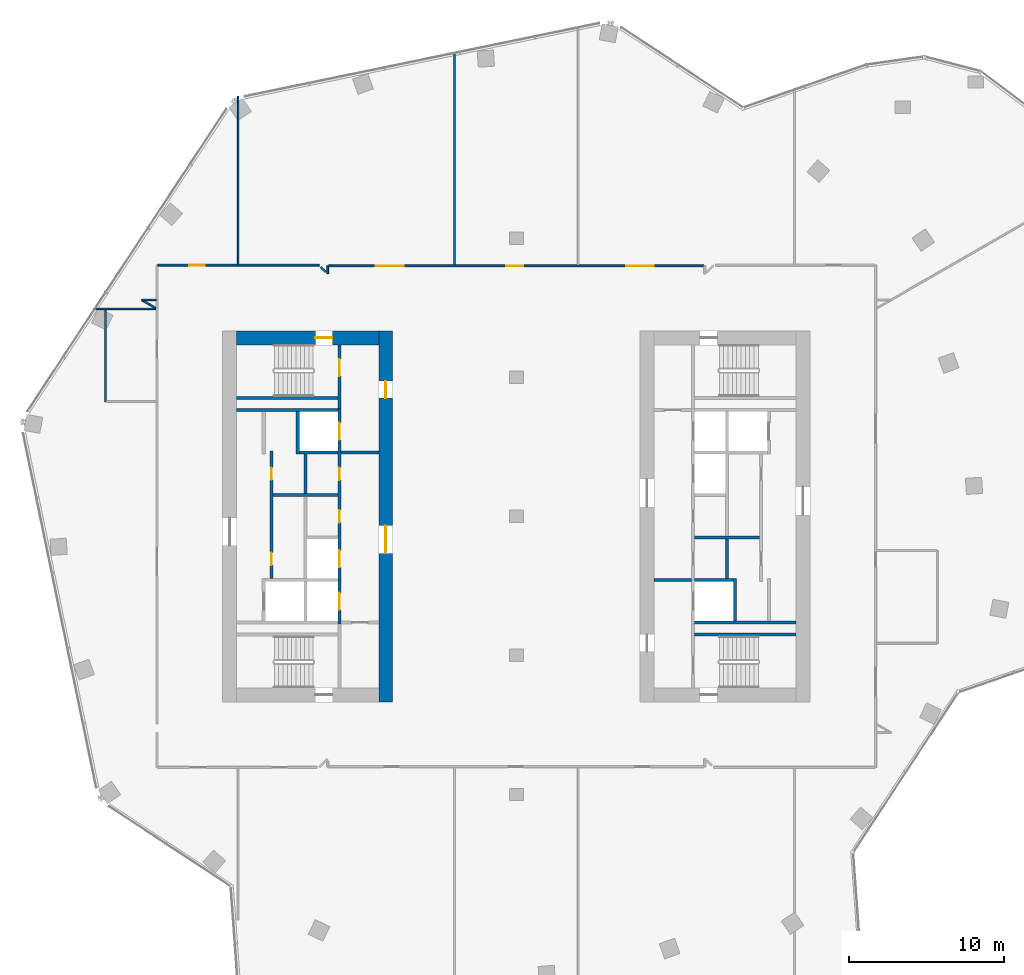
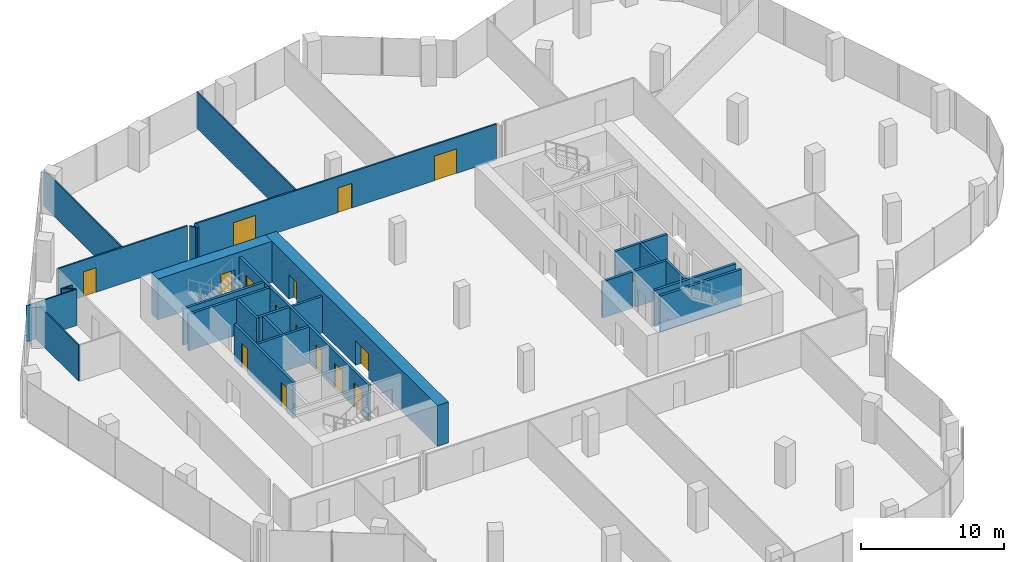
# One storey, part 19 of 24: 29 walls, 15 doors, 15 openings.
"""IFC4 building model written with IfcOpenShell, lengths in metres."""

import ifcopenshell
import ifcopenshell.guid

model = None  # the IFC model being written
_history = None  # IfcOwnerHistory: only IFC2X3 demands one
_inside = {}  # id of a spatial element -> (the spatial element, [elements in it])
_under = {}  # id of a project, library or spatial element -> (it, [spatial elements below it])
_declared = {}  # id of a project -> (the project, [libraries it declares])
_typed = {}  # id of a type object -> (the type object, [elements of that type])
_made_of = {}  # id of a material, layer set ... -> (it, [elements and type objects made of it])


def new_model(schema):
    """Start an empty IFC model of exactly this schema.

    Asked for "IFC4X3", IfcOpenShell would pick the latest addendum, in which some entities
    have other attributes; the version numbers below select the first issue.
    IFC2X3 requires an IfcOwnerHistory on every rooted entity: one is made here for all.
    """
    global model, _history
    if schema == "IFC4X3":
        model = ifcopenshell.file(schema_version=(4, 3, 0, 0))
    else:
        model = ifcopenshell.file(schema=schema)
    _inside.clear()
    _under.clear()
    _declared.clear()
    _typed.clear()
    _made_of.clear()
    _history = None
    if model.schema == "IFC2X3":
        org = make("IfcOrganization", Name="unknown")
        user = make(
            "IfcPersonAndOrganization",
            ThePerson=make("IfcPerson", FamilyName="unknown"),
            TheOrganization=org,
        )
        app = make(
            "IfcApplication",
            ApplicationDeveloper=org,
            Version="unknown",
            ApplicationFullName="unknown",
            ApplicationIdentifier="unknown",
        )
        _history = make(
            "IfcOwnerHistory",
            OwningUser=user,
            OwningApplication=app,
            ChangeAction="ADDED",
            CreationDate=0,
        )
    return model


def make(cls, **values):
    """One entity of the class cls with the attributes given. An attribute that is None is left unset."""
    return model.create_entity(
        cls, **{name: value for name, value in values.items() if value is not None}
    )


def rooted(cls, **values):
    """An entity with a GlobalId (a new one), such as an element, a storey or a relation."""
    return make(cls, GlobalId=ifcopenshell.guid.new(), OwnerHistory=_history, **values)


def si_unit(unit_type, name, prefix=None):
    """IfcSIUnit, for example si_unit("LENGTHUNIT", "METRE", prefix="MILLI")."""
    return make("IfcSIUnit", UnitType=unit_type, Prefix=prefix, Name=name)


def assignment(units):
    """IfcUnitAssignment: the units of a project."""
    return None if units is None else make("IfcUnitAssignment", Units=units)


def point(xyz):
    """IfcCartesianPoint."""
    return None if xyz is None else make("IfcCartesianPoint", Coordinates=xyz)


def direction(xyz):
    """IfcDirection."""
    return None if xyz is None else make("IfcDirection", DirectionRatios=xyz)


def frame(location, z_axis=None, x_axis=None):
    """IfcAxis2Placement3D, a coordinate frame: its origin and axes. An axis left out is left unset."""
    return make(
        "IfcAxis2Placement3D",
        Location=point(location),
        Axis=direction(z_axis),
        RefDirection=direction(x_axis),
    )


def frame_2d(location, x_axis=None):
    """IfcAxis2Placement2D, a coordinate frame in the plane: its origin and x axis."""
    return make(
        "IfcAxis2Placement2D", Location=point(location), RefDirection=direction(x_axis)
    )


def origin():
    """The frame at (0, 0, 0) with its axes left unset."""
    return frame((0.0, 0.0, 0.0))


def place(relative_to, where):
    """IfcLocalPlacement: puts the frame where relative to a parent placement (None: the world)."""
    return make(
        "IfcLocalPlacement", PlacementRelTo=relative_to, RelativePlacement=where
    )


def context(
    kind, dimensions, precision=None, world=None, true_north=None, identifier=None
):
    """IfcGeometricRepresentationContext, for example the 3D "Model" context."""
    return make(
        "IfcGeometricRepresentationContext",
        ContextIdentifier=identifier,
        ContextType=kind,
        CoordinateSpaceDimension=dimensions,
        Precision=precision,
        WorldCoordinateSystem=world,
        TrueNorth=true_north,
    )


def subcontext(parent, identifier, kind, view, scale=None):
    """IfcGeometricRepresentationSubContext, for example "Body" below "Model"."""
    return make(
        "IfcGeometricRepresentationSubContext",
        ContextIdentifier=identifier,
        ContextType=kind,
        ParentContext=parent,
        TargetScale=scale,
        TargetView=view,
    )


def project(units=None, contexts=None):
    """IfcProject with its units and contexts."""
    return rooted(
        "IfcProject",
        Name="project",
        RepresentationContexts=contexts,
        UnitsInContext=assignment(units),
    )


def spatial(cls, under=None, at=None, **own):
    """A site, building, storey or space (cls), placed at a placement, below another one or the project."""
    s = rooted(cls, ObjectPlacement=at, **own)
    if under is not None:
        _under.setdefault(under.id(), (under, []))[1].append(s)
    return s


def profile(cls, at=None, kind="AREA", **sizes):
    """A parametric profile (cls). Its sizes go by their IFC names, for example OverallWidth=200.0."""
    return make(cls, ProfileType=kind, Position=at, **sizes)


def rectangle(**sizes):
    """IfcRectangleProfileDef."""
    return profile("IfcRectangleProfileDef", **sizes)


def extrude(swept, where, along, depth):
    """IfcExtrudedAreaSolid: the profile swept, set in the frame where, extruded along a direction by depth."""
    return make(
        "IfcExtrudedAreaSolid",
        SweptArea=swept,
        Position=where,
        ExtrudedDirection=direction(along),
        Depth=depth,
    )


def shape(context_of_items, identifier, shape_type, items):
    """IfcShapeRepresentation: the items that make up one representation, for example the "Body"."""
    return make(
        "IfcShapeRepresentation",
        ContextOfItems=context_of_items,
        RepresentationIdentifier=identifier,
        RepresentationType=shape_type,
        Items=items,
    )


def material(Name=None, Category=None):
    """IfcMaterial."""
    return make("IfcMaterial", Name=Name, Category=Category)


def layer(
    of_material, thickness, ventilated=None, Name=None, Category=None, Priority=None
):
    """IfcMaterialLayer: one layer of a wall or slab, of a material (None: an air gap)."""
    return make(
        "IfcMaterialLayer",
        Material=of_material,
        LayerThickness=thickness,
        IsVentilated=ventilated,
        Name=Name,
        Category=Category,
        Priority=Priority,
    )


def layer_set(layers, Name=None):
    """IfcMaterialLayerSet."""
    return make("IfcMaterialLayerSet", MaterialLayers=layers, LayerSetName=Name)


def made_of(thing, what):
    """Note that an element or type object is made of a material, layer set ...; save() writes the relation."""
    if what is not None:
        _made_of.setdefault(what.id(), (what, []))[1].append(thing)
    return thing


def type_object(cls, material=None, **own):
    """A type object (cls), such as IfcWallType, which elements share."""
    return made_of(rooted(cls, **own), material)


def element(
    cls,
    number,
    at=None,
    inside=None,
    cuts=None,
    type_object=None,
    material=None,
    context=None,
    identifier="Body",
    shape_type=None,
    held_by="IfcProductDefinitionShape",
    body=None,
    shapes=None,
    **own,
):
    """One element of the class cls, such as IfcWall. Its Tag is "e" and its number.

    at: its placement. inside: the storey or other place that contains it. cuts: it is an
    opening in that element (IfcRelVoidsElement). A single representation is given by context,
    identifier, shape_type and body (its items); several are given by shapes. held_by: the class
    of the entity that holds the representations. save() writes the other relations.
    """
    e = rooted(cls, Tag="e%d" % number, ObjectPlacement=at, **own)
    if body is not None:
        shapes = [shape(context, identifier, shape_type, body)]
    if shapes is not None:
        e.Representation = make(held_by, Representations=shapes)
    if inside is not None:
        _inside.setdefault(inside.id(), (inside, []))[1].append(e)
    if cuts is not None:
        rooted(
            "IfcRelVoidsElement", RelatingBuildingElement=cuts, RelatedOpeningElement=e
        )
    if type_object is not None:
        _typed.setdefault(type_object.id(), (type_object, []))[1].append(e)
    return made_of(e, material)


def fill(opening, filler):
    """IfcRelFillsElement: the door or window that sits in an opening."""
    return rooted(
        "IfcRelFillsElement",
        RelatingOpeningElement=opening,
        RelatedBuildingElement=filler,
    )


def aggregate(whole, parts):
    """IfcRelAggregates: a whole, such as a stair, and the parts it consists of."""
    return rooted("IfcRelAggregates", RelatingObject=whole, RelatedObjects=parts)


def save(model, path):
    """Write the relations noted so far, then the file.

    IfcRelAggregates (storeys below a building ...), IfcRelContainedInSpatialStructure (elements
    in a storey), IfcRelDefinesByType, IfcRelAssociatesMaterial and IfcRelDeclares: one each for
    every whole, place, type object, material and project.
    """
    for whole, parts in _under.values():
        aggregate(whole, parts)
    for where, things in _inside.values():
        rooted(
            "IfcRelContainedInSpatialStructure",
            RelatedElements=things,
            RelatingStructure=where,
        )
    for kind, things in _typed.values():
        rooted("IfcRelDefinesByType", RelatedObjects=things, RelatingType=kind)
    for what, things in _made_of.values():
        rooted("IfcRelAssociatesMaterial", RelatedObjects=things, RelatingMaterial=what)
    for by, libraries in _declared.values():
        rooted("IfcRelDeclares", RelatingContext=by, RelatedDefinitions=libraries)
    model.write(path)


model = new_model("IFC4")

# Units and contexts
model_context = context("Model", 3, precision=1e-05, world=origin(), true_north=direction((0.0, 1.0)))
body_context = subcontext(model_context, "Body", "Model", "MODEL_VIEW")
ifc_project = project(units=[si_unit("LENGTHUNIT", "METRE"), si_unit("AREAUNIT", "SQUARE_METRE"), si_unit("VOLUMEUNIT", "CUBIC_METRE"), si_unit("PLANEANGLEUNIT", "RADIAN"), si_unit("MASSUNIT", "GRAM", prefix="KILO")], contexts=[model_context])

# Site, building, storey
site_placement = place(None, origin())
site = spatial("IfcSite", under=ifc_project, at=site_placement, CompositionType="ELEMENT")
building_placement = place(site_placement, origin())
building = spatial("IfcBuilding", under=site, at=building_placement, Name="Orlundy Tower", CompositionType="ELEMENT")
storey_placement = place(building_placement, frame((0.0, 0.0, 239.0)))
storey = spatial("IfcBuildingStorey", under=building, at=storey_placement, Name="L63", CompositionType="ELEMENT", Elevation=239.0)

# Wall, opening, door
ifc_material_1 = material(Name="Concrete C60/75", Category="concrete")
ifc_layer_1 = layer(ifc_material_1, 0.89990234375)
ifc_layer_set_1 = layer_set([ifc_layer_1], Name="CORE WALL 900 C60/75")
wall_type_1 = type_object("IfcWallType", Name="CORE WALL 900 C60/75", PredefinedType="SHEAR", material=ifc_layer_set_1)
wall_1_placement = place(storey_placement, frame((-18.10009765625, 11.550048828125, 0.0), z_axis=(0.0, 0.0, 1.0), x_axis=(1.0, 0.0, 0.0)))
wall_1 = element("IfcWall", 1, at=wall_1_placement, inside=storey, type_object=wall_type_1, Name="Core wall W-N L63", PredefinedType="SHEAR", context=body_context, shape_type="SweptSolid", body=[
    extrude(rectangle(XDim=9.2001953125, YDim=0.89990234375, at=frame_2d((4.60009765625, 0.0))), origin(), (0.0, 0.0, 1.0), 3.5),
])
opening_1_placement = place(wall_1_placement, frame((5.10009765625, 0.0, 0.0)))
opening_1 = element("IfcOpeningElement", 2, at=opening_1_placement, cuts=wall_1, Name="Opening 48012", PredefinedType="OPENING", context=body_context, shape_type="SweptSolid", body=[
    extrude(rectangle(XDim=1.10009765625, YDim=2.10009765625, at=frame_2d((0.550048828125, 1.050048828125))), frame((0.0, 0.4599609375, 0.0), z_axis=(0.0, -1.0, 0.0), x_axis=(1.0, 0.0, 0.0)), (0.0, 0.0, 1.0), 0.919921875),
])
ifc_material_2 = material(Name="Steel door set", Category="steel")
door_type_1 = type_object("IfcDoorType", Name="Stair Door 1100x2100", OperationType="SINGLE_SWING_LEFT", PredefinedType="DOOR", material=ifc_material_2)
door_1_placement = place(opening_1_placement, origin())
door_1 = element("IfcDoor", 3, at=door_1_placement, inside=storey, type_object=door_type_1, Name="Stair door 48012", OperationType="SINGLE_SWING_RIGHT", OverallHeight=2.10009765625, OverallWidth=1.10009765625, PredefinedType="DOOR", context=body_context, shape_type="SweptSolid", body=[
    extrude(rectangle(XDim=1.10009765625, YDim=2.10009765625, at=frame_2d((0.550048828125, 1.050048828125))), frame((0.0, 0.02490234375, 0.0), z_axis=(0.0, -1.0, 0.0), x_axis=(1.0, 0.0, 0.0)), (0.0, 0.0, 1.0), 0.050048828125),
])
fill(opening_1, door_1)

# Wall, openings, doors
wall_2_placement = place(storey_placement, frame((-8.449951171875, -12.0, 0.0), z_axis=(0.0, 0.0, 1.0), x_axis=(0.0, 1.0, 0.0)))
wall_2 = element("IfcWall", 4, at=wall_2_placement, inside=storey, type_object=wall_type_1, Name="Core wall W-E L63", PredefinedType="SHEAR", context=body_context, shape_type="SweptSolid", body=[
    extrude(rectangle(XDim=24.0, YDim=0.89990234375, at=frame_2d((12.0, 0.0))), origin(), (0.0, 0.0, 1.0), 3.5),
])
opening_2_placement = place(wall_2_placement, frame((9.60009765625, 0.0, 0.0)))
opening_2 = element("IfcOpeningElement", 5, at=opening_2_placement, cuts=wall_2, Name="Opening 48009", PredefinedType="OPENING", context=body_context, shape_type="SweptSolid", body=[
    extrude(rectangle(XDim=1.800048828125, YDim=2.10009765625, at=frame_2d((0.89990234375, 1.050048828125))), frame((0.0, 0.4599609375, 0.0), z_axis=(0.0, -1.0, 0.0), x_axis=(1.0, 0.0, 0.0)), (0.0, 0.0, 1.0), 0.919921875),
])
opening_3_placement = place(wall_2_placement, frame((19.64990234375, 0.0, 0.0)))
opening_3 = element("IfcOpeningElement", 6, at=opening_3_placement, cuts=wall_2, Name="Opening 48011", PredefinedType="OPENING", context=body_context, shape_type="SweptSolid", body=[
    extrude(rectangle(XDim=1.10009765625, YDim=2.10009765625, at=frame_2d((0.550048828125, 1.050048828125))), frame((0.0, 0.4599609375, 0.0), z_axis=(0.0, -1.0, 0.0), x_axis=(1.0, 0.0, 0.0)), (0.0, 0.0, 1.0), 0.919921875),
])
ifc_material_3 = material(Name="Steel door set", Category="steel")
door_type_2 = type_object("IfcDoorType", Name="Fire-fighting Lobby Door 1100x2100", OperationType="SINGLE_SWING_LEFT", PredefinedType="DOOR", material=ifc_material_3)
door_2_placement = place(opening_3_placement, origin())
door_2 = element("IfcDoor", 7, at=door_2_placement, inside=storey, type_object=door_type_2, Name="Fire-fighting lobby door 48011", OperationType="SINGLE_SWING_RIGHT", OverallHeight=2.10009765625, OverallWidth=1.10009765625, PredefinedType="DOOR", context=body_context, shape_type="SweptSolid", body=[
    extrude(rectangle(XDim=1.10009765625, YDim=2.10009765625, at=frame_2d((0.550048828125, 1.050048828125))), frame((0.0, 0.02490234375, 0.0), z_axis=(0.0, -1.0, 0.0), x_axis=(1.0, 0.0, 0.0)), (0.0, 0.0, 1.0), 0.050048828125),
])
fill(opening_3, door_2)
ifc_material_4 = material(Name="Timber door set", Category="wood")
door_type_3 = type_object("IfcDoorType", Name="Lobby Door 1800x2100", OperationType="DOUBLE_DOOR_DOUBLE_SWING", PredefinedType="DOOR", material=ifc_material_4)
door_3_placement = place(opening_2_placement, origin())
door_3 = element("IfcDoor", 8, at=door_3_placement, inside=storey, type_object=door_type_3, Name="Lift lobby door 48009", OperationType="SINGLE_SWING_LEFT", OverallHeight=2.10009765625, OverallWidth=1.800048828125, PredefinedType="DOOR", context=body_context, shape_type="SweptSolid", body=[
    extrude(rectangle(XDim=1.800048828125, YDim=2.10009765625, at=frame_2d((0.89990234375, 1.050048828125))), frame((0.0, 0.02490234375, 0.0), z_axis=(0.0, -1.0, 0.0), x_axis=(1.0, 0.0, 0.0)), (0.0, 0.0, 1.0), 0.050048828125),
])
fill(opening_2, door_3)

# Walls
ifc_material_5 = material(Name="Gypsum board partition")
ifc_layer_2 = layer(ifc_material_5, 0.10009765625)
ifc_layer_set_2 = layer_set([ifc_layer_2], Name="Floor partition 100")
wall_type_2 = type_object("IfcWallType", Name="Floor partition 100", PredefinedType="PARTITIONING", material=ifc_layer_set_2)
wall_3_placement = place(storey_placement, frame((-24.2060546875, 13.97509765625, 0.0), z_axis=(0.0, 0.0, 1.0), x_axis=(0.866136921896, -0.4998067952, 0.0)))
element("IfcWall", 9, at=wall_3_placement, inside=storey, type_object=wall_type_2, Name="wall-int-L63-004", PredefinedType="PARTITIONING", context=body_context, shape_type="SweptSolid", body=[
    extrude(rectangle(XDim=1.00244140625, YDim=0.10009765625, at=frame_2d((0.501220703125, 0.0))), origin(), (0.0, 0.0, 1.0), 3.080078125),
])
wall_4_placement = place(storey_placement, frame((-27.376953125, 13.424072265625, 0.0), z_axis=(0.0, 0.0, 1.0), x_axis=(1.0, 0.0, 0.0)))
element("IfcWall", 10, at=wall_4_placement, inside=storey, type_object=wall_type_2, Name="wall-int-L63-013", PredefinedType="PARTITIONING", context=body_context, shape_type="SweptSolid", body=[
    extrude(rectangle(XDim=4.06298828125, YDim=0.10009765625, at=frame_2d((2.031494140625, 0.0))), origin(), (0.0, 0.0, 1.0), 3.080078125),
])
wall_5_placement = place(storey_placement, frame((-24.2490234375, 14.0, 0.0), z_axis=(0.0, 0.0, 1.0), x_axis=(1.0, 0.0, 0.0)))
element("IfcWall", 11, at=wall_5_placement, inside=storey, type_object=wall_type_2, Name="wall-int-L63-014", PredefinedType="PARTITIONING", context=body_context, shape_type="SweptSolid", body=[
    extrude(rectangle(XDim=0.93701171875, YDim=0.10009765625, at=frame_2d((0.468505859375, 0.0))), origin(), (0.0, 0.0, 1.0), 3.080078125),
])
wall_6_placement = place(storey_placement, frame((-4.0, 16.261962890625, 0.0), z_axis=(0.0, 0.0, 1.0), x_axis=(0.0, 1.0, 0.0)))
element("IfcWall", 12, at=wall_6_placement, inside=storey, type_object=wall_type_2, Name="wall-int-L63-032", PredefinedType="PARTITIONING", context=body_context, shape_type="SweptSolid", body=[
    extrude(rectangle(XDim=13.800048828125, YDim=0.10009765625, at=frame_2d((6.89990234375, 0.0))), origin(), (0.0, 0.0, 1.0), 3.080078125),
])
wall_7_placement = place(storey_placement, frame((-18.0, 16.31201171875, 0.0), z_axis=(0.0, 0.0, 1.0), x_axis=(0.0, 1.0, 0.0)))
element("IfcWall", 13, at=wall_7_placement, inside=storey, type_object=wall_type_2, Name="wall-int-L63-034", PredefinedType="PARTITIONING", context=body_context, shape_type="SweptSolid", body=[
    extrude(rectangle(XDim=10.85888671875, YDim=0.10009765625, at=frame_2d((5.429443359375, 0.0))), origin(), (0.0, 0.0, 1.0), 3.080078125),
])
wall_8_placement = place(storey_placement, frame((-26.58203125, 7.423095703125, 0.0), z_axis=(0.0, 0.0, 1.0), x_axis=(0.0, 1.0, 0.0)))
element("IfcWall", 14, at=wall_8_placement, inside=storey, type_object=wall_type_2, Name="wall-int-L63-037", PredefinedType="PARTITIONING", context=body_context, shape_type="SweptSolid", body=[
    extrude(rectangle(XDim=6.0, YDim=0.10009765625, at=frame_2d((3.0, 0.0))), origin(), (0.0, 0.0, 1.0), 3.080078125),
])
ifc_material_6 = material(Name="Gypsum board partition, double layer")
ifc_layer_3 = layer(ifc_material_6, 0.125)
ifc_layer_set_3 = layer_set([ifc_layer_3], Name="Floor partition 125")
wall_type_3 = type_object("IfcWallType", Name="Floor partition 125", PredefinedType="PARTITIONING", material=ifc_layer_set_3)
wall_9_placement = place(storey_placement, frame((-12.64599609375, 16.1240234375, 0.0), z_axis=(0.0, 0.0, 1.0), x_axis=(0.707106781187, -0.707106781187, 0.0)))
element("IfcWall", 15, at=wall_9_placement, inside=storey, type_object=wall_type_3, Name="wall-int-L63-003", PredefinedType="PARTITIONING", context=body_context, shape_type="SweptSolid", body=[
    extrude(rectangle(XDim=0.449951171875, YDim=0.125, at=frame_2d((0.22509765625, 0.0))), origin(), (0.0, 0.0, 1.0), 3.080078125),
])

# Wall, openings, doors
wall_10_placement = place(storey_placement, frame((-12.136962890625, 16.199951171875, 0.0), z_axis=(0.0, 0.0, 1.0), x_axis=(1.0, 0.0, 0.0)))
wall_10 = element("IfcWall", 16, at=wall_10_placement, inside=storey, type_object=wall_type_3, Name="wall-int-L63-016", PredefinedType="PARTITIONING", context=body_context, shape_type="SweptSolid", body=[
    extrude(rectangle(XDim=24.27587890625, YDim=0.125, at=frame_2d((12.137939453125, 0.0))), origin(), (0.0, 0.0, 1.0), 3.080078125),
])
opening_4_placement = place(wall_10_placement, frame((19.237548828125, 0.0, 0.0)))
opening_4 = element("IfcOpeningElement", 17, at=opening_4_placement, cuts=wall_10, Name="Opening 48108", PredefinedType="OPENING", context=body_context, shape_type="SweptSolid", body=[
    extrude(rectangle(XDim=1.800048828125, YDim=2.10009765625, at=frame_2d((0.89990234375, 1.050048828125))), frame((0.0, 0.072509765625, 0.0), z_axis=(0.0, -1.0, 0.0), x_axis=(1.0, 0.0, 0.0)), (0.0, 0.0, 1.0), 0.14501953125),
])
opening_5_placement = place(wall_10_placement, frame((11.487548828125, 0.0, 0.0)))
opening_5 = element("IfcOpeningElement", 18, at=opening_5_placement, cuts=wall_10, Name="Opening 48109", PredefinedType="OPENING", context=body_context, shape_type="SweptSolid", body=[
    extrude(rectangle(XDim=1.10009765625, YDim=2.10009765625, at=frame_2d((0.550048828125, 1.050048828125))), frame((0.0, 0.072509765625, 0.0), z_axis=(0.0, -1.0, 0.0), x_axis=(1.0, 0.0, 0.0)), (0.0, 0.0, 1.0), 0.14501953125),
])
opening_6_placement = place(wall_10_placement, frame((3.03759765625, 0.0, 0.0)))
opening_6 = element("IfcOpeningElement", 19, at=opening_6_placement, cuts=wall_10, Name="Opening 48110", PredefinedType="OPENING", context=body_context, shape_type="SweptSolid", body=[
    extrude(rectangle(XDim=1.800048828125, YDim=2.10009765625, at=frame_2d((0.89990234375, 1.050048828125))), frame((0.0, 0.072509765625, 0.0), z_axis=(0.0, -1.0, 0.0), x_axis=(1.0, 0.0, 0.0)), (0.0, 0.0, 1.0), 0.14501953125),
])
ifc_material_7 = material(Name="Timber door leaf", Category="wood")
door_type_4 = type_object("IfcDoorType", Name="Floor door double 1800 FD30S", OperationType="NOTDEFINED", PredefinedType="DOOR", material=ifc_material_7)
door_4_placement = place(opening_4_placement, origin())
door_4 = element("IfcDoor", 20, at=door_4_placement, inside=storey, type_object=door_type_4, Name="Door 48108", OperationType="DOUBLE_DOOR_SINGLE_SWING", OverallHeight=2.10009765625, OverallWidth=1.800048828125, PredefinedType="DOOR", context=body_context, shape_type="SweptSolid", body=[
    extrude(rectangle(XDim=1.800048828125, YDim=2.10009765625, at=frame_2d((0.89990234375, 1.050048828125))), frame((0.0, 0.02490234375, 0.0), z_axis=(0.0, -1.0, 0.0), x_axis=(1.0, 0.0, 0.0)), (0.0, 0.0, 1.0), 0.050048828125),
])
fill(opening_4, door_4)
door_5_placement = place(opening_6_placement, origin())
door_5 = element("IfcDoor", 21, at=door_5_placement, inside=storey, type_object=door_type_4, Name="Door 48110", OperationType="DOUBLE_DOOR_SINGLE_SWING", OverallHeight=2.10009765625, OverallWidth=1.800048828125, PredefinedType="DOOR", context=body_context, shape_type="SweptSolid", body=[
    extrude(rectangle(XDim=1.800048828125, YDim=2.10009765625, at=frame_2d((0.89990234375, 1.050048828125))), frame((0.0, 0.02490234375, 0.0), z_axis=(0.0, -1.0, 0.0), x_axis=(1.0, 0.0, 0.0)), (0.0, 0.0, 1.0), 0.050048828125),
])
fill(opening_6, door_5)
ifc_material_8 = material(Name="Timber door leaf", Category="wood")
door_type_5 = type_object("IfcDoorType", Name="Floor door xwide 1100 FD30S", OperationType="NOTDEFINED", PredefinedType="DOOR", material=ifc_material_8)
door_6_placement = place(opening_5_placement, origin())
door_6 = element("IfcDoor", 22, at=door_6_placement, inside=storey, type_object=door_type_5, Name="Door 48109", OperationType="SINGLE_SWING_LEFT", OverallHeight=2.10009765625, OverallWidth=1.10009765625, PredefinedType="DOOR", context=body_context, shape_type="SweptSolid", body=[
    extrude(rectangle(XDim=1.10009765625, YDim=2.10009765625, at=frame_2d((0.550048828125, 1.050048828125))), frame((0.0, 0.02490234375, 0.0), z_axis=(0.0, -1.0, 0.0), x_axis=(1.0, 0.0, 0.0)), (0.0, 0.0, 1.0), 0.050048828125),
])
fill(opening_5, door_6)

# Wall, opening, door
wall_11_placement = place(storey_placement, frame((-23.18798828125, 16.25, 0.0), z_axis=(0.0, 0.0, 1.0), x_axis=(1.0, 0.0, 0.0)))
wall_11 = element("IfcWall", 23, at=wall_11_placement, inside=storey, type_object=wall_type_3, Name="wall-int-L63-017", PredefinedType="PARTITIONING", context=body_context, shape_type="SweptSolid", body=[
    extrude(rectangle(XDim=10.428955078125, YDim=0.125, at=frame_2d((5.21435546875, 0.0))), origin(), (0.0, 0.0, 1.0), 3.080078125),
])
opening_7_placement = place(wall_11_placement, frame((2.03759765625, 0.0, 0.0)))
opening_7 = element("IfcOpeningElement", 24, at=opening_7_placement, cuts=wall_11, Name="Opening 48111", PredefinedType="OPENING", context=body_context, shape_type="SweptSolid", body=[
    extrude(rectangle(XDim=1.0, YDim=2.10009765625, at=frame_2d((0.5, 1.050048828125))), frame((0.0, 0.072509765625, 0.0), z_axis=(0.0, -1.0, 0.0), x_axis=(1.0, 0.0, 0.0)), (0.0, 0.0, 1.0), 0.14501953125),
])
ifc_material_9 = material(Name="Timber door leaf", Category="wood")
door_type_6 = type_object("IfcDoorType", Name="Floor door wide 1000 FD30S", OperationType="NOTDEFINED", PredefinedType="DOOR", material=ifc_material_9)
door_7_placement = place(opening_7_placement, origin())
door_7 = element("IfcDoor", 25, at=door_7_placement, inside=storey, type_object=door_type_6, Name="Door 48111", OperationType="SINGLE_SWING_LEFT", OverallHeight=2.10009765625, OverallWidth=1.0, PredefinedType="DOOR", context=body_context, shape_type="SweptSolid", body=[
    extrude(rectangle(XDim=1.0, YDim=2.10009765625, at=frame_2d((0.5, 1.050048828125))), frame((0.0, 0.02490234375, 0.0), z_axis=(0.0, -1.0, 0.0), x_axis=(1.0, 0.0, 0.0)), (0.0, 0.0, 1.0), 0.050048828125),
])
fill(opening_7, door_7)

# Wall
wall_12_placement = place(storey_placement, frame((-12.200927734375, 15.69189453125, 0.0), z_axis=(0.0, 0.0, 1.0), x_axis=(0.00192214926, 0.999998152669, 0.0)))
element("IfcWall", 26, at=wall_12_placement, inside=storey, type_object=wall_type_3, Name="wall-int-L63-022", PredefinedType="PARTITIONING", context=body_context, shape_type="SweptSolid", body=[
    extrude(rectangle(XDim=0.508056640625, YDim=0.125, at=frame_2d((0.25390625, 0.0))), origin(), (0.0, 0.0, 1.0), 3.080078125),
])

# Wall, opening, door
ifc_material_10 = material(Name="Concrete C40/50", Category="concrete")
ifc_layer_4 = layer(ifc_material_10, 0.199951171875)
ifc_layer_set_4 = layer_set([ifc_layer_4], Name="Load-bearing Shaft Wall 200")
wall_type_4 = type_object("IfcWallType", Name="Load-bearing Shaft Wall 200", PredefinedType="SOLIDWALL", material=ifc_layer_set_4)
wall_13_placement = place(storey_placement, frame((-11.43994140625, 6.97509765625, 0.0), z_axis=(0.0, 0.0, 1.0), x_axis=(0.0, 1.0, 0.0)))
wall_13 = element("IfcWall", 27, at=wall_13_placement, inside=storey, type_object=wall_type_4, Name="Shaft wall W48-stair-end-n", PredefinedType="SOLIDWALL", context=body_context, shape_type="SweptSolid", body=[
    extrude(rectangle(XDim=4.125, YDim=0.199951171875, at=frame_2d((2.0625, 0.0))), origin(), (0.0, 0.0, 1.0), 3.090087890625),
])
opening_8_placement = place(wall_13_placement, frame((2.10009765625, 0.0, 0.0)))
opening_8 = element("IfcOpeningElement", 28, at=opening_8_placement, cuts=wall_13, Name="Opening 48014", PredefinedType="OPENING", context=body_context, shape_type="SweptSolid", body=[
    extrude(rectangle(XDim=1.10009765625, YDim=2.10009765625, at=frame_2d((0.550048828125, 1.050048828125))), frame((0.0, 0.110107421875, 0.0), z_axis=(0.0, -1.0, 0.0), x_axis=(1.0, 0.0, 0.0)), (0.0, 0.0, 1.0), 0.22021484375),
])
door_8_placement = place(opening_8_placement, origin())
door_8 = element("IfcDoor", 29, at=door_8_placement, inside=storey, type_object=door_type_2, Name="Fire-fighting lobby to stair door 48014", OperationType="SINGLE_SWING_RIGHT", OverallHeight=2.10009765625, OverallWidth=1.10009765625, PredefinedType="DOOR", context=body_context, shape_type="SweptSolid", body=[
    extrude(rectangle(XDim=1.10009765625, YDim=2.10009765625, at=frame_2d((0.550048828125, 1.050048828125))), frame((0.0, 0.02490234375, 0.0), z_axis=(0.0, -1.0, 0.0), x_axis=(1.0, 0.0, 0.0)), (0.0, 0.0, 1.0), 0.050048828125),
])
fill(opening_8, door_8)

# Walls
for number, where, z_axis, x_axis, name in (
    (30, (-11.5400390625, 7.64990234375, 0.0), (0.0, 0.0, 1.0), (-1.0, 0.0, 0.0), "Shaft wall W48-stair-side-n"),
    (31, (11.5400390625, -7.64990234375, 0.0), (0.0, 0.0, 1.0), (1.0, 0.0, 0.0), "Shaft wall E48-stair-side-n"),
):
    element("IfcWall", number, at=place(storey_placement, frame(where, z_axis=z_axis, x_axis=x_axis)), inside=storey, type_object=wall_type_4, Name=name, PredefinedType="SOLIDWALL", context=body_context, shape_type="SweptSolid", body=[
        extrude(rectangle(XDim=6.56005859375, YDim=0.199951171875, at=frame_2d((3.280029296875, 0.0))), origin(), (0.0, 0.0, 1.0), 3.090087890625),
    ])
ifc_material_11 = material(Name="Gypsum board partition on steel studs", Category="steel")
ifc_layer_5 = layer(ifc_material_11, 0.199951171875)
ifc_layer_set_5 = layer_set([ifc_layer_5], Name="Partition 200")
wall_type_5 = type_object("IfcWallType", Name="Partition 200", PredefinedType="PARTITIONING", material=ifc_layer_set_5)
for number, where, z_axis, x_axis, name in (
    (32, (-8.89990234375, 4.125, 0.0), (0.0, 0.0, 1.0), (-1.0, 0.0, 0.0), "Partition wall W48-lobby-n"),
    (33, (8.89990234375, -4.125, 0.0), (0.0, 0.0, 1.0), (1.0, 0.0, 0.0), "Partition wall E48-lobby-n"),
):
    element("IfcWall", number, at=place(storey_placement, frame(where, z_axis=z_axis, x_axis=x_axis)), inside=storey, type_object=wall_type_5, Name=name, PredefinedType="PARTITIONING", context=body_context, shape_type="SweptSolid", body=[
        extrude(rectangle(XDim=2.440185546875, YDim=0.199951171875, at=frame_2d((1.22021484375, 0.0))), origin(), (0.0, 0.0, 1.0), 3.090087890625),
    ])
ifc_material_12 = material(Name="Fire-rated blockwork shaft wall", Category="masonry")
ifc_layer_6 = layer(ifc_material_12, 0.199951171875)
ifc_layer_set_6 = layer_set([ifc_layer_6], Name="Shaft Wall 200")
wall_type_6 = type_object("IfcWallType", Name="Shaft Wall 200", PredefinedType="SOLIDWALL", material=ifc_layer_set_6)
wall_14_placement = place(storey_placement, frame((-11.5400390625, 6.875, 0.0), z_axis=(0.0, 0.0, 1.0), x_axis=(-1.0, 0.0, 0.0)))
element("IfcWall", 34, at=wall_14_placement, inside=storey, type_object=wall_type_6, Name="Shaft wall W48-zone-n", PredefinedType="SOLIDWALL", context=body_context, shape_type="SweptSolid", body=[
    extrude(rectangle(XDim=6.56005859375, YDim=0.199951171875, at=frame_2d((3.280029296875, 0.0))), origin(), (0.0, 0.0, 1.0), 3.090087890625),
])
wall_15_placement = place(storey_placement, frame((-11.5400390625, 1.375, 0.0), z_axis=(0.0, 0.0, 1.0), x_axis=(-1.0, 0.0, 0.0)))
element("IfcWall", 35, at=wall_15_placement, inside=storey, type_object=wall_type_6, Name="Shaft wall W48-cross+1.375", PredefinedType="SOLIDWALL", context=body_context, shape_type="SweptSolid", body=[
    extrude(rectangle(XDim=4.199951171875, YDim=0.199951171875, at=frame_2d((2.10009765625, 0.0))), origin(), (0.0, 0.0, 1.0), 3.090087890625),
])
wall_16_placement = place(storey_placement, frame((-11.5400390625, 4.125, 0.0), z_axis=(0.0, 0.0, 1.0), x_axis=(-1.0, 0.0, 0.0)))
element("IfcWall", 36, at=wall_16_placement, inside=storey, type_object=wall_type_6, Name="Shaft wall W48-cross+4.125", PredefinedType="SOLIDWALL", context=body_context, shape_type="SweptSolid", body=[
    extrude(rectangle(XDim=2.5, YDim=0.199951171875, at=frame_2d((1.25, 0.0))), origin(), (0.0, 0.0, 1.0), 3.090087890625),
])

# Wall, openings, doors
wall_17_placement = place(storey_placement, frame((-11.43994140625, -6.97509765625, 0.0), z_axis=(0.0, 0.0, 1.0), x_axis=(0.0, 1.0, 0.0)))
wall_17 = element("IfcWall", 37, at=wall_17_placement, inside=storey, type_object=wall_type_6, Name="Shaft wall W48-front-h", PredefinedType="SOLIDWALL", context=body_context, shape_type="SweptSolid", body=[
    extrude(rectangle(XDim=13.9501953125, YDim=0.199951171875, at=frame_2d((6.97509765625, 0.0))), origin(), (0.0, 0.0, 1.0), 3.090087890625),
])
opening_9_placement = place(wall_17_placement, frame((0.925048828125, 0.0, 0.0)))
opening_9 = element("IfcOpeningElement", 38, at=opening_9_placement, cuts=wall_17, Name="Opening 48001", PredefinedType="OPENING", context=body_context, shape_type="SweptSolid", body=[
    extrude(rectangle(XDim=1.10009765625, YDim=2.10009765625, at=frame_2d((0.550048828125, 1.050048828125))), frame((0.0, 0.110107421875, 0.0), z_axis=(0.0, -1.0, 0.0), x_axis=(1.0, 0.0, 0.0)), (0.0, 0.0, 1.0), 0.22021484375),
])
opening_10_placement = place(wall_17_placement, frame((3.675048828125, 0.0, 0.0)))
opening_10 = element("IfcOpeningElement", 39, at=opening_10_placement, cuts=wall_17, Name="Opening 48003", PredefinedType="OPENING", context=body_context, shape_type="SweptSolid", body=[
    extrude(rectangle(XDim=1.10009765625, YDim=2.10009765625, at=frame_2d((0.550048828125, 1.050048828125))), frame((0.0, 0.110107421875, 0.0), z_axis=(0.0, -1.0, 0.0), x_axis=(1.0, 0.0, 0.0)), (0.0, 0.0, 1.0), 0.22021484375),
])
opening_11_placement = place(wall_17_placement, frame((11.925048828125, 0.0, 0.0)))
opening_11 = element("IfcOpeningElement", 40, at=opening_11_placement, cuts=wall_17, Name="Opening 48004", PredefinedType="OPENING", context=body_context, shape_type="SweptSolid", body=[
    extrude(rectangle(XDim=1.10009765625, YDim=2.10009765625, at=frame_2d((0.550048828125, 1.050048828125))), frame((0.0, 0.110107421875, 0.0), z_axis=(0.0, -1.0, 0.0), x_axis=(1.0, 0.0, 0.0)), (0.0, 0.0, 1.0), 0.22021484375),
])
opening_12_placement = place(wall_17_placement, frame((6.574951171875, 0.0, 0.0)))
opening_12 = element("IfcOpeningElement", 41, at=opening_12_placement, cuts=wall_17, Name="Opening 48006", PredefinedType="OPENING", context=body_context, shape_type="SweptSolid", body=[
    extrude(rectangle(XDim=0.800048828125, YDim=2.10009765625, at=frame_2d((0.39990234375, 1.050048828125))), frame((0.0, 0.110107421875, 0.0), z_axis=(0.0, -1.0, 0.0), x_axis=(1.0, 0.0, 0.0)), (0.0, 0.0, 1.0), 0.22021484375),
])
opening_13_placement = place(wall_17_placement, frame((9.324951171875, 0.0, 0.0)))
opening_13 = element("IfcOpeningElement", 42, at=opening_13_placement, cuts=wall_17, Name="Opening 48007", PredefinedType="OPENING", context=body_context, shape_type="SweptSolid", body=[
    extrude(rectangle(XDim=0.800048828125, YDim=2.10009765625, at=frame_2d((0.39990234375, 1.050048828125))), frame((0.0, 0.110107421875, 0.0), z_axis=(0.0, -1.0, 0.0), x_axis=(1.0, 0.0, 0.0)), (0.0, 0.0, 1.0), 0.22021484375),
])
ifc_material_13 = material(Name="Steel door set", Category="steel")
door_type_7 = type_object("IfcDoorType", Name="Landing Door 1100x2100", OperationType="DOUBLE_DOOR_SLIDING", PredefinedType="DOOR", material=ifc_material_13)
door_9_placement = place(opening_9_placement, origin())
door_9 = element("IfcDoor", 43, at=door_9_placement, inside=storey, type_object=door_type_7, Name="Lift landing door LP-22 48001", OperationType="DOUBLE_DOOR_SLIDING", OverallHeight=2.10009765625, OverallWidth=1.10009765625, PredefinedType="DOOR", context=body_context, shape_type="SweptSolid", body=[
    extrude(rectangle(XDim=1.10009765625, YDim=2.10009765625, at=frame_2d((0.550048828125, 1.050048828125))), frame((0.0, 0.02490234375, 0.0), z_axis=(0.0, -1.0, 0.0), x_axis=(1.0, 0.0, 0.0)), (0.0, 0.0, 1.0), 0.050048828125),
])
fill(opening_9, door_9)
door_10_placement = place(opening_10_placement, origin())
door_10 = element("IfcDoor", 44, at=door_10_placement, inside=storey, type_object=door_type_7, Name="Lift landing door LP-21 48003", OperationType="DOUBLE_DOOR_SLIDING", OverallHeight=2.10009765625, OverallWidth=1.10009765625, PredefinedType="DOOR", context=body_context, shape_type="SweptSolid", body=[
    extrude(rectangle(XDim=1.10009765625, YDim=2.10009765625, at=frame_2d((0.550048828125, 1.050048828125))), frame((0.0, 0.02490234375, 0.0), z_axis=(0.0, -1.0, 0.0), x_axis=(1.0, 0.0, 0.0)), (0.0, 0.0, 1.0), 0.050048828125),
])
fill(opening_10, door_10)
door_11_placement = place(opening_11_placement, origin())
door_11 = element("IfcDoor", 45, at=door_11_placement, inside=storey, type_object=door_type_7, Name="Lift landing door FL1 48004", OperationType="DOUBLE_DOOR_SLIDING", OverallHeight=2.10009765625, OverallWidth=1.10009765625, PredefinedType="DOOR", context=body_context, shape_type="SweptSolid", body=[
    extrude(rectangle(XDim=1.10009765625, YDim=2.10009765625, at=frame_2d((0.550048828125, 1.050048828125))), frame((0.0, 0.02490234375, 0.0), z_axis=(0.0, -1.0, 0.0), x_axis=(1.0, 0.0, 0.0)), (0.0, 0.0, 1.0), 0.050048828125),
])
fill(opening_11, door_11)
ifc_material_14 = material(Name="Timber door set", Category="wood")
door_type_8 = type_object("IfcDoorType", Name="Riser Door 800x2100", OperationType="SINGLE_SWING_LEFT", PredefinedType="DOOR", material=ifc_material_14)
door_12_placement = place(opening_12_placement, origin())
door_12 = element("IfcDoor", 46, at=door_12_placement, inside=storey, type_object=door_type_8, Name="Security Store door 48006", OperationType="SINGLE_SWING_LEFT", OverallHeight=2.10009765625, OverallWidth=0.800048828125, PredefinedType="DOOR", context=body_context, shape_type="SweptSolid", body=[
    extrude(rectangle(XDim=0.800048828125, YDim=2.10009765625, at=frame_2d((0.39990234375, 1.050048828125))), frame((0.0, 0.02490234375, 0.0), z_axis=(0.0, -1.0, 0.0), x_axis=(1.0, 0.0, 0.0)), (0.0, 0.0, 1.0), 0.050048828125),
])
fill(opening_12, door_12)
door_13_placement = place(opening_13_placement, origin())
door_13 = element("IfcDoor", 47, at=door_13_placement, inside=storey, type_object=door_type_8, Name="Furniture Store door 48007", OperationType="SINGLE_SWING_LEFT", OverallHeight=2.10009765625, OverallWidth=0.800048828125, PredefinedType="DOOR", context=body_context, shape_type="SweptSolid", body=[
    extrude(rectangle(XDim=0.800048828125, YDim=2.10009765625, at=frame_2d((0.39990234375, 1.050048828125))), frame((0.0, 0.02490234375, 0.0), z_axis=(0.0, -1.0, 0.0), x_axis=(1.0, 0.0, 0.0)), (0.0, 0.0, 1.0), 0.050048828125),
])
fill(opening_13, door_13)

# Walls
wall_18_placement = place(storey_placement, frame((-13.639892578125, 1.47509765625, 0.0), z_axis=(0.0, 0.0, 1.0), x_axis=(0.0, 1.0, 0.0)))
element("IfcWall", 48, at=wall_18_placement, inside=storey, type_object=wall_type_6, Name="Shaft wall W48-mid-a.2", PredefinedType="SOLIDWALL", context=body_context, shape_type="SweptSolid", body=[
    extrude(rectangle(XDim=2.5498046875, YDim=0.199951171875, at=frame_2d((1.27490234375, 0.0))), origin(), (0.0, 0.0, 1.0), 3.090087890625),
])
wall_19_placement = place(storey_placement, frame((-14.139892578125, 4.02490234375, 0.0), z_axis=(0.0, 0.0, 1.0), x_axis=(0.0, 1.0, 0.0)))
element("IfcWall", 49, at=wall_19_placement, inside=storey, type_object=wall_type_6, Name="Shaft wall W48-mid-b", PredefinedType="SOLIDWALL", context=body_context, shape_type="SweptSolid", body=[
    extrude(rectangle(XDim=2.75, YDim=0.199951171875, at=frame_2d((1.375, 0.0))), origin(), (0.0, 0.0, 1.0), 3.090087890625),
])

# Wall, openings, doors
wall_20_placement = place(storey_placement, frame((-15.840087890625, -4.02490234375, 0.0), z_axis=(0.0, 0.0, 1.0), x_axis=(0.0, 1.0, 0.0)))
wall_20 = element("IfcWall", 50, at=wall_20_placement, inside=storey, type_object=wall_type_6, Name="Shaft wall W48-front-o-b", PredefinedType="SOLIDWALL", context=body_context, shape_type="SweptSolid", body=[
    extrude(rectangle(XDim=8.25, YDim=0.199951171875, at=frame_2d((4.125, 0.0))), origin(), (0.0, 0.0, 1.0), 3.090087890625),
])
opening_14_placement = place(wall_20_placement, frame((0.875, 0.0, 0.0)))
opening_14 = element("IfcOpeningElement", 51, at=opening_14_placement, cuts=wall_20, Name="Opening 48005", PredefinedType="OPENING", context=body_context, shape_type="SweptSolid", body=[
    extrude(rectangle(XDim=0.800048828125, YDim=2.10009765625, at=frame_2d((0.39990234375, 1.050048828125))), frame((0.0, 0.110107421875, 0.0), z_axis=(0.0, -1.0, 0.0), x_axis=(1.0, 0.0, 0.0)), (0.0, 0.0, 1.0), 0.22021484375),
])
opening_15_placement = place(wall_20_placement, frame((6.375, 0.0, 0.0)))
opening_15 = element("IfcOpeningElement", 52, at=opening_15_placement, cuts=wall_20, Name="Opening 48008", PredefinedType="OPENING", context=body_context, shape_type="SweptSolid", body=[
    extrude(rectangle(XDim=0.800048828125, YDim=2.10009765625, at=frame_2d((0.39990234375, 1.050048828125))), frame((0.0, 0.110107421875, 0.0), z_axis=(0.0, -1.0, 0.0), x_axis=(1.0, 0.0, 0.0)), (0.0, 0.0, 1.0), 0.22021484375),
])
door_14_placement = place(opening_14_placement, origin())
door_14 = element("IfcDoor", 53, at=door_14_placement, inside=storey, type_object=door_type_8, Name="HVAC Riser door 48005", OperationType="SINGLE_SWING_LEFT", OverallHeight=2.10009765625, OverallWidth=0.800048828125, PredefinedType="DOOR", context=body_context, shape_type="SweptSolid", body=[
    extrude(rectangle(XDim=0.800048828125, YDim=2.10009765625, at=frame_2d((0.39990234375, 1.050048828125))), frame((0.0, 0.02490234375, 0.0), z_axis=(0.0, -1.0, 0.0), x_axis=(1.0, 0.0, 0.0)), (0.0, 0.0, 1.0), 0.050048828125),
])
fill(opening_14, door_14)
door_15_placement = place(opening_15_placement, origin())
door_15 = element("IfcDoor", 54, at=door_15_placement, inside=storey, type_object=door_type_8, Name="Cleaner's Store door 48008", OperationType="SINGLE_SWING_LEFT", OverallHeight=2.10009765625, OverallWidth=0.800048828125, PredefinedType="DOOR", context=body_context, shape_type="SweptSolid", body=[
    extrude(rectangle(XDim=0.800048828125, YDim=2.10009765625, at=frame_2d((0.39990234375, 1.050048828125))), frame((0.0, 0.02490234375, 0.0), z_axis=(0.0, -1.0, 0.0), x_axis=(1.0, 0.0, 0.0)), (0.0, 0.0, 1.0), 0.050048828125),
])
fill(opening_15, door_15)

# Walls
wall_21_placement = place(storey_placement, frame((11.5400390625, -6.875, 0.0), z_axis=(0.0, 0.0, 1.0), x_axis=(1.0, 0.0, 0.0)))
element("IfcWall", 55, at=wall_21_placement, inside=storey, type_object=wall_type_6, Name="Shaft wall E48-zone-n", PredefinedType="SOLIDWALL", context=body_context, shape_type="SweptSolid", body=[
    extrude(rectangle(XDim=6.56005859375, YDim=0.199951171875, at=frame_2d((3.280029296875, 0.0))), origin(), (0.0, 0.0, 1.0), 3.090087890625),
])
wall_22_placement = place(storey_placement, frame((11.5400390625, -1.375, 0.0), z_axis=(0.0, 0.0, 1.0), x_axis=(1.0, 0.0, 0.0)))
element("IfcWall", 56, at=wall_22_placement, inside=storey, type_object=wall_type_6, Name="Shaft wall E48-cross+1.375", PredefinedType="SOLIDWALL", context=body_context, shape_type="SweptSolid", body=[
    extrude(rectangle(XDim=4.199951171875, YDim=0.199951171875, at=frame_2d((2.10009765625, 0.0))), origin(), (0.0, 0.0, 1.0), 3.090087890625),
])
wall_23_placement = place(storey_placement, frame((11.5400390625, -4.125, 0.0), z_axis=(0.0, 0.0, 1.0), x_axis=(1.0, 0.0, 0.0)))
element("IfcWall", 57, at=wall_23_placement, inside=storey, type_object=wall_type_6, Name="Shaft wall E48-cross+4.125", PredefinedType="SOLIDWALL", context=body_context, shape_type="SweptSolid", body=[
    extrude(rectangle(XDim=2.5, YDim=0.199951171875, at=frame_2d((1.25, 0.0))), origin(), (0.0, 0.0, 1.0), 3.090087890625),
])
wall_24_placement = place(storey_placement, frame((13.639892578125, -1.47509765625, 0.0), z_axis=(0.0, 0.0, 1.0), x_axis=(0.0, -1.0, 0.0)))
element("IfcWall", 58, at=wall_24_placement, inside=storey, type_object=wall_type_6, Name="Shaft wall E48-mid-a.2", PredefinedType="SOLIDWALL", context=body_context, shape_type="SweptSolid", body=[
    extrude(rectangle(XDim=2.5498046875, YDim=0.199951171875, at=frame_2d((1.27490234375, 0.0))), origin(), (0.0, 0.0, 1.0), 3.090087890625),
])
wall_25_placement = place(storey_placement, frame((14.139892578125, -4.02490234375, 0.0), z_axis=(0.0, 0.0, 1.0), x_axis=(0.0, -1.0, 0.0)))
element("IfcWall", 59, at=wall_25_placement, inside=storey, type_object=wall_type_6, Name="Shaft wall E48-mid-b", PredefinedType="SOLIDWALL", context=body_context, shape_type="SweptSolid", body=[
    extrude(rectangle(XDim=2.75, YDim=0.199951171875, at=frame_2d((1.375, 0.0))), origin(), (0.0, 0.0, 1.0), 3.090087890625),
])

save(model, "model.ifc")
